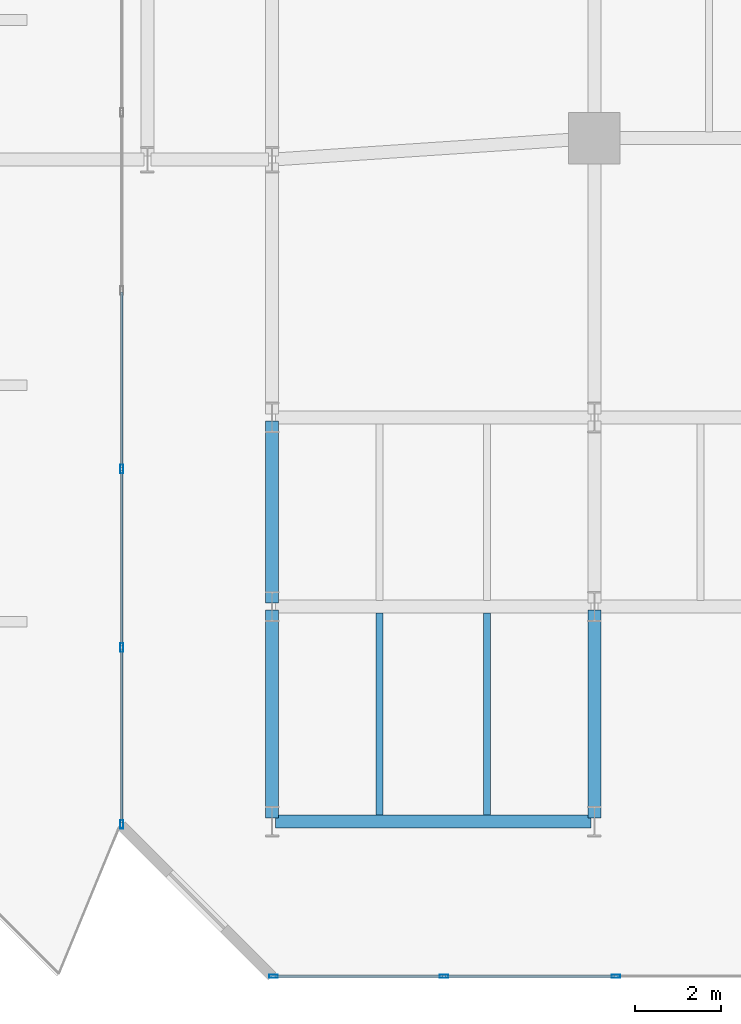
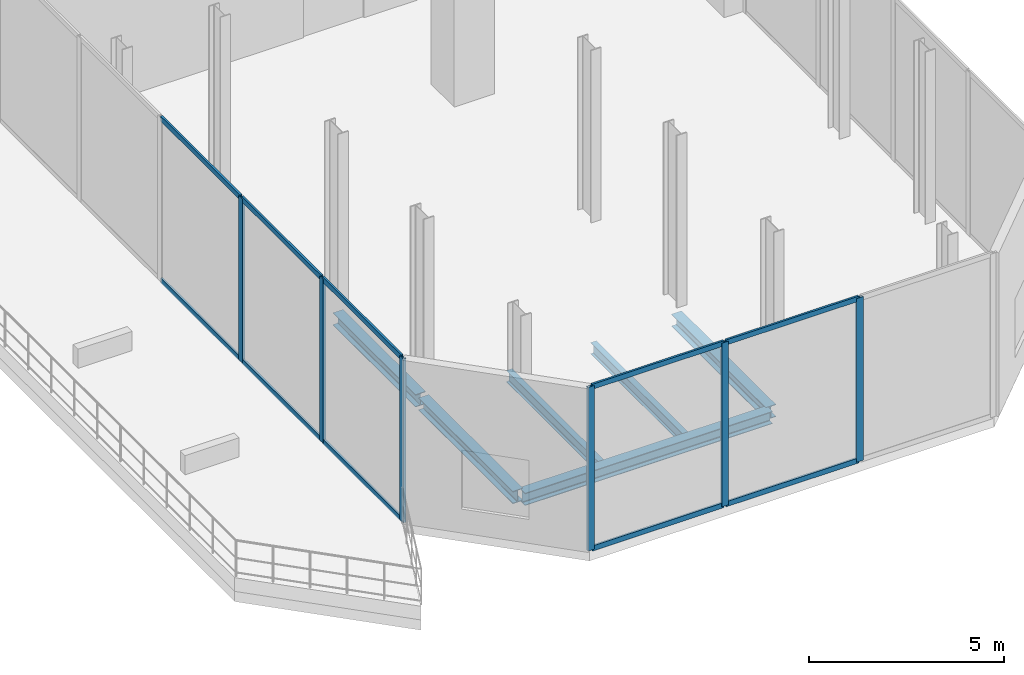
# One storey, part 2 of 18: 16 members, 6 beams, 2 elements without a shape of their own.
"""IFC4 building model written with IfcOpenShell, lengths in metres."""

import ifcopenshell
import ifcopenshell.guid

model = None  # the IFC model being written
_history = None  # IfcOwnerHistory: only IFC2X3 demands one
_inside = {}  # id of a spatial element -> (the spatial element, [elements in it])
_under = {}  # id of a project, library or spatial element -> (it, [spatial elements below it])
_declared = {}  # id of a project -> (the project, [libraries it declares])
_typed = {}  # id of a type object -> (the type object, [elements of that type])
_made_of = {}  # id of a material, layer set ... -> (it, [elements and type objects made of it])


def new_model(schema):
    """Start an empty IFC model of exactly this schema.

    Asked for "IFC4X3", IfcOpenShell would pick the latest addendum, in which some entities
    have other attributes; the version numbers below select the first issue.
    IFC2X3 requires an IfcOwnerHistory on every rooted entity: one is made here for all.
    """
    global model, _history
    if schema == "IFC4X3":
        model = ifcopenshell.file(schema_version=(4, 3, 0, 0))
    else:
        model = ifcopenshell.file(schema=schema)
    _inside.clear()
    _under.clear()
    _declared.clear()
    _typed.clear()
    _made_of.clear()
    _history = None
    if model.schema == "IFC2X3":
        org = make("IfcOrganization", Name="unknown")
        user = make(
            "IfcPersonAndOrganization",
            ThePerson=make("IfcPerson", FamilyName="unknown"),
            TheOrganization=org,
        )
        app = make(
            "IfcApplication",
            ApplicationDeveloper=org,
            Version="unknown",
            ApplicationFullName="unknown",
            ApplicationIdentifier="unknown",
        )
        _history = make(
            "IfcOwnerHistory",
            OwningUser=user,
            OwningApplication=app,
            ChangeAction="ADDED",
            CreationDate=0,
        )
    return model


def make(cls, **values):
    """One entity of the class cls with the attributes given. An attribute that is None is left unset."""
    return model.create_entity(
        cls, **{name: value for name, value in values.items() if value is not None}
    )


def rooted(cls, **values):
    """An entity with a GlobalId (a new one), such as an element, a storey or a relation."""
    return make(cls, GlobalId=ifcopenshell.guid.new(), OwnerHistory=_history, **values)


def si_unit(unit_type, name, prefix=None):
    """IfcSIUnit, for example si_unit("LENGTHUNIT", "METRE", prefix="MILLI")."""
    return make("IfcSIUnit", UnitType=unit_type, Prefix=prefix, Name=name)


def assignment(units):
    """IfcUnitAssignment: the units of a project."""
    return None if units is None else make("IfcUnitAssignment", Units=units)


def point(xyz):
    """IfcCartesianPoint."""
    return None if xyz is None else make("IfcCartesianPoint", Coordinates=xyz)


def direction(xyz):
    """IfcDirection."""
    return None if xyz is None else make("IfcDirection", DirectionRatios=xyz)


def frame(location, z_axis=None, x_axis=None):
    """IfcAxis2Placement3D, a coordinate frame: its origin and axes. An axis left out is left unset."""
    return make(
        "IfcAxis2Placement3D",
        Location=point(location),
        Axis=direction(z_axis),
        RefDirection=direction(x_axis),
    )


def frame_2d(location, x_axis=None):
    """IfcAxis2Placement2D, a coordinate frame in the plane: its origin and x axis."""
    return make(
        "IfcAxis2Placement2D", Location=point(location), RefDirection=direction(x_axis)
    )


def origin():
    """The frame at (0, 0, 0) with its axes left unset."""
    return frame((0.0, 0.0, 0.0))


def origin_2d():
    """The frame at (0, 0) in the plane with its x axis left unset."""
    return frame_2d((0.0, 0.0))


def place(relative_to, where):
    """IfcLocalPlacement: puts the frame where relative to a parent placement (None: the world)."""
    return make(
        "IfcLocalPlacement", PlacementRelTo=relative_to, RelativePlacement=where
    )


def context(
    kind, dimensions, precision=None, world=None, true_north=None, identifier=None
):
    """IfcGeometricRepresentationContext, for example the 3D "Model" context."""
    return make(
        "IfcGeometricRepresentationContext",
        ContextIdentifier=identifier,
        ContextType=kind,
        CoordinateSpaceDimension=dimensions,
        Precision=precision,
        WorldCoordinateSystem=world,
        TrueNorth=true_north,
    )


def subcontext(parent, identifier, kind, view, scale=None):
    """IfcGeometricRepresentationSubContext, for example "Body" below "Model"."""
    return make(
        "IfcGeometricRepresentationSubContext",
        ContextIdentifier=identifier,
        ContextType=kind,
        ParentContext=parent,
        TargetScale=scale,
        TargetView=view,
    )


def project(units=None, contexts=None):
    """IfcProject with its units and contexts."""
    return rooted(
        "IfcProject",
        Name="project",
        RepresentationContexts=contexts,
        UnitsInContext=assignment(units),
    )


def spatial(cls, under=None, at=None, **own):
    """A site, building, storey or space (cls), placed at a placement, below another one or the project."""
    s = rooted(cls, ObjectPlacement=at, **own)
    if under is not None:
        _under.setdefault(under.id(), (under, []))[1].append(s)
    return s


def profile(cls, at=None, kind="AREA", **sizes):
    """A parametric profile (cls). Its sizes go by their IFC names, for example OverallWidth=200.0."""
    return make(cls, ProfileType=kind, Position=at, **sizes)


def hollow_rectangle(**sizes):
    """IfcRectangleHollowProfileDef."""
    return profile("IfcRectangleHollowProfileDef", **sizes)


def i_section(**sizes):
    """IfcIShapeProfileDef."""
    return profile("IfcIShapeProfileDef", **sizes)


def extrude(swept, where, along, depth):
    """IfcExtrudedAreaSolid: the profile swept, set in the frame where, extruded along a direction by depth."""
    return make(
        "IfcExtrudedAreaSolid",
        SweptArea=swept,
        Position=where,
        ExtrudedDirection=direction(along),
        Depth=depth,
    )


def shape(context_of_items, identifier, shape_type, items):
    """IfcShapeRepresentation: the items that make up one representation, for example the "Body"."""
    return make(
        "IfcShapeRepresentation",
        ContextOfItems=context_of_items,
        RepresentationIdentifier=identifier,
        RepresentationType=shape_type,
        Items=items,
    )


def material(Name=None, Category=None):
    """IfcMaterial."""
    return make("IfcMaterial", Name=Name, Category=Category)


def layer(
    of_material, thickness, ventilated=None, Name=None, Category=None, Priority=None
):
    """IfcMaterialLayer: one layer of a wall or slab, of a material (None: an air gap)."""
    return make(
        "IfcMaterialLayer",
        Material=of_material,
        LayerThickness=thickness,
        IsVentilated=ventilated,
        Name=Name,
        Category=Category,
        Priority=Priority,
    )


def layer_set(layers, Name=None):
    """IfcMaterialLayerSet."""
    return make("IfcMaterialLayerSet", MaterialLayers=layers, LayerSetName=Name)


def material_profile(
    of_material, cross_section, Name=None, Category=None, Priority=None
):
    """IfcMaterialProfile: a cross section and its material."""
    return make(
        "IfcMaterialProfile",
        Name=Name,
        Material=of_material,
        Profile=cross_section,
        Priority=Priority,
        Category=Category,
    )


def profile_set(profiles, Name=None, composite=None):
    """IfcMaterialProfileSet."""
    return make(
        "IfcMaterialProfileSet",
        Name=Name,
        MaterialProfiles=profiles,
        CompositeProfile=composite,
    )


def made_of(thing, what):
    """Note that an element or type object is made of a material, layer set ...; save() writes the relation."""
    if what is not None:
        _made_of.setdefault(what.id(), (what, []))[1].append(thing)
    return thing


def type_object(cls, material=None, **own):
    """A type object (cls), such as IfcWallType, which elements share."""
    return made_of(rooted(cls, **own), material)


def element(
    cls,
    number,
    at=None,
    inside=None,
    cuts=None,
    type_object=None,
    material=None,
    context=None,
    identifier="Body",
    shape_type=None,
    held_by="IfcProductDefinitionShape",
    body=None,
    shapes=None,
    **own,
):
    """One element of the class cls, such as IfcWall. Its Tag is "e" and its number.

    at: its placement. inside: the storey or other place that contains it. cuts: it is an
    opening in that element (IfcRelVoidsElement). A single representation is given by context,
    identifier, shape_type and body (its items); several are given by shapes. held_by: the class
    of the entity that holds the representations. save() writes the other relations.
    """
    e = rooted(cls, Tag="e%d" % number, ObjectPlacement=at, **own)
    if body is not None:
        shapes = [shape(context, identifier, shape_type, body)]
    if shapes is not None:
        e.Representation = make(held_by, Representations=shapes)
    if inside is not None:
        _inside.setdefault(inside.id(), (inside, []))[1].append(e)
    if cuts is not None:
        rooted(
            "IfcRelVoidsElement", RelatingBuildingElement=cuts, RelatedOpeningElement=e
        )
    if type_object is not None:
        _typed.setdefault(type_object.id(), (type_object, []))[1].append(e)
    return made_of(e, material)


def aggregate(whole, parts):
    """IfcRelAggregates: a whole, such as a stair, and the parts it consists of."""
    return rooted("IfcRelAggregates", RelatingObject=whole, RelatedObjects=parts)


def save(model, path):
    """Write the relations noted so far, then the file.

    IfcRelAggregates (storeys below a building ...), IfcRelContainedInSpatialStructure (elements
    in a storey), IfcRelDefinesByType, IfcRelAssociatesMaterial and IfcRelDeclares: one each for
    every whole, place, type object, material and project.
    """
    for whole, parts in _under.values():
        aggregate(whole, parts)
    for where, things in _inside.values():
        rooted(
            "IfcRelContainedInSpatialStructure",
            RelatedElements=things,
            RelatingStructure=where,
        )
    for kind, things in _typed.values():
        rooted("IfcRelDefinesByType", RelatedObjects=things, RelatingType=kind)
    for what, things in _made_of.values():
        rooted("IfcRelAssociatesMaterial", RelatedObjects=things, RelatingMaterial=what)
    for by, libraries in _declared.values():
        rooted("IfcRelDeclares", RelatingContext=by, RelatedDefinitions=libraries)
    model.write(path)


model = new_model("IFC4")

# Units and contexts
model_context = context("Model", 3, precision=1e-05, world=origin(), true_north=direction((0.0, 1.0)))
body_context = subcontext(model_context, "Body", "Model", "MODEL_VIEW")
ifc_project = project(units=[si_unit("LENGTHUNIT", "METRE"), si_unit("AREAUNIT", "SQUARE_METRE"), si_unit("VOLUMEUNIT", "CUBIC_METRE"), si_unit("PLANEANGLEUNIT", "RADIAN"), si_unit("MASSUNIT", "GRAM", prefix="KILO")], contexts=[model_context])

# Site, building, storey
site_placement = place(None, origin())
site = spatial("IfcSite", under=ifc_project, at=site_placement, CompositionType="ELEMENT")
building_placement = place(site_placement, origin())
building = spatial("IfcBuilding", under=site, at=building_placement, Name="Catumbela Crestline Tower", CompositionType="ELEMENT")
storey_placement = place(building_placement, frame((0.0, 0.0, 148.8)))
storey = spatial("IfcBuildingStorey", under=building, at=storey_placement, Name="L38", CompositionType="ELEMENT", Elevation=148.8)

# Beams
ifc_material_1 = material(Name="Structural steel S355J2", Category="steel")
ifc_material_profile_1 = material_profile(ifc_material_1, i_section(OverallWidth=0.3, OverallDepth=0.39, WebThickness=0.011, FlangeThickness=0.019, FilletRadius=0.027, at=origin_2d()), Name="HEA 400")
ifc_profile_set_1 = profile_set([ifc_material_profile_1], Name="Structural steel S355J2")
beam_type_1 = type_object("IfcBeamType", Name="BG-HEA400", PredefinedType="BEAM", material=ifc_profile_set_1)
beam_1_placement = place(storey_placement, frame((8.58, 8.6, -0.545), z_axis=(1.0, 0.0, 0.0), x_axis=(0.0, 1.0, 0.0)))
element("IfcBeam", 1, at=beam_1_placement, inside=storey, type_object=beam_type_1, Name="L38 Beam BM-L38-WEW32", PredefinedType="BEAM", context=body_context, shape_type="SweptSolid", body=[
    extrude(i_section(OverallWidth=0.3, OverallDepth=0.39, WebThickness=0.011, FlangeThickness=0.019, FilletRadius=0.027, at=origin_2d()), origin(), (0.0, 0.0, 1.0), 7.34),
])
beam_2_placement = place(storey_placement, frame((8.5, 8.68, -0.545), z_axis=(0.0, 1.0, 0.0), x_axis=(-1.0, 0.0, 0.0)))
element("IfcBeam", 2, at=beam_2_placement, inside=storey, type_object=beam_type_1, Name="L38 Beam BM-L38-WNS37", PredefinedType="BEAM", context=body_context, shape_type="SweptSolid", body=[
    extrude(i_section(OverallWidth=0.3, OverallDepth=0.39, WebThickness=0.011, FlangeThickness=0.019, FilletRadius=0.027, at=origin_2d()), origin(), (0.0, 0.0, 1.0), 4.84),
])
beam_3_placement = place(storey_placement, frame((8.5, 13.68, -0.545), z_axis=(0.0, 1.0, 0.0), x_axis=(-1.0, 0.0, 0.0)))
element("IfcBeam", 3, at=beam_3_placement, inside=storey, type_object=beam_type_1, Name="L38 Beam BM-L38-WNS38", PredefinedType="BEAM", context=body_context, shape_type="SweptSolid", body=[
    extrude(i_section(OverallWidth=0.3, OverallDepth=0.39, WebThickness=0.011, FlangeThickness=0.019, FilletRadius=0.027, at=origin_2d()), origin(), (0.0, 0.0, 1.0), 4.24),
])
beam_4_placement = place(storey_placement, frame((16.0, 8.68, -0.545), z_axis=(0.0, 1.0, 0.0), x_axis=(-1.0, 0.0, 0.0)))
element("IfcBeam", 4, at=beam_4_placement, inside=storey, type_object=beam_type_1, Name="L38 Beam BM-L38-WNS40", PredefinedType="BEAM", context=body_context, shape_type="SweptSolid", body=[
    extrude(i_section(OverallWidth=0.3, OverallDepth=0.39, WebThickness=0.011, FlangeThickness=0.019, FilletRadius=0.027, at=origin_2d()), origin(), (0.0, 0.0, 1.0), 4.84),
])
ifc_material_profile_2 = material_profile(ifc_material_1, i_section(OverallWidth=0.17, OverallDepth=0.36, WebThickness=0.008, FlangeThickness=0.0127, FilletRadius=0.018, at=origin_2d()), Name="IPE 360")
ifc_profile_set_2 = profile_set([ifc_material_profile_2], Name="Structural steel S355J2")
beam_type_2 = type_object("IfcBeamType", Name="BJ-IPE360", PredefinedType="JOIST", material=ifc_profile_set_2)
for number, where, z_axis, x_axis, name in (
    (5, (11.0, 8.747, -0.53), (0.0, 1.0, 0.0), (-1.0, 0.0, 0.0), "L38 Joist JS-L38-WG44"),
    (6, (13.5, 8.747, -0.53), (0.0, 1.0, 0.0), (-1.0, 0.0, 0.0), "L38 Joist JS-L38-WG45"),
):
    element("IfcBeam", number, at=place(storey_placement, frame(where, z_axis=z_axis, x_axis=x_axis)), inside=storey, type_object=beam_type_2, Name=name, PredefinedType="JOIST", context=body_context, shape_type="SweptSolid", body=[
        extrude(i_section(OverallWidth=0.17, OverallDepth=0.36, WebThickness=0.008, FlangeThickness=0.0127, FilletRadius=0.018, at=origin_2d()), origin(), (0.0, 0.0, 1.0), 4.706),
    ])

# Curtain wall, members
ifc_material_2 = material(Name="Aluminium alloy AW-6060-T66", Category="aluminium")
ifc_layer = layer(ifc_material_2, 0.18, Name="Aluminium alloy AW-6060-T66")
ifc_layer_set = layer_set([ifc_layer], Name="Aluminium alloy AW-6060-T66")
curtain_wall_type = type_object("IfcCurtainWallType", Name="CWU-SKY", PredefinedType="USERDEFINED", material=ifc_layer_set)
curtain_wall_1_placement = place(storey_placement, origin())
curtain_wall_1 = element("IfcCurtainWall", 7, at=curtain_wall_1_placement, inside=storey, type_object=curtain_wall_type, Name="L38 Unitised Curtain Wall CW-L38-E0S1", ObjectType="UNITISED", PredefinedType="USERDEFINED")
ifc_material_profile_3 = material_profile(ifc_material_2, hollow_rectangle(XDim=0.075, YDim=0.2, WallThickness=0.005, at=origin_2d()), Name="ALU 200x75x5")
ifc_profile_set_3 = profile_set([ifc_material_profile_3], Name="Aluminium alloy AW-6060-T66")
member_type_1 = type_object("IfcMemberType", Name="MUL-200X75", PredefinedType="MULLION", material=ifc_profile_set_3)
member_1_placement = place(storey_placement, frame((8.5325, 5.0, 0.0), z_axis=(0.0, 0.0, 1.0), x_axis=(0.0, 1.0, 0.0)))
member_1 = element("IfcMember", 8, at=member_1_placement, type_object=member_type_1, Name="CWU-SKY mullion 1", PredefinedType="MULLION", context=body_context, shape_type="SweptSolid", body=[
    extrude(hollow_rectangle(XDim=0.075, YDim=0.2, WallThickness=0.005, at=origin_2d()), origin(), (0.0, 0.0, 1.0), 5.13),
])
member_2_placement = place(storey_placement, frame((12.5, 5.0, 0.0), z_axis=(0.0, 0.0, 1.0), x_axis=(0.0, 1.0, 0.0)))
member_2 = element("IfcMember", 9, at=member_2_placement, type_object=member_type_1, Name="CWU-SKY mullion 2", PredefinedType="MULLION", context=body_context, shape_type="SweptSolid", body=[
    extrude(hollow_rectangle(XDim=0.075, YDim=0.2, WallThickness=0.005, at=origin_2d()), origin(), (0.0, 0.0, 1.0), 5.13),
])
member_3_placement = place(storey_placement, frame((16.5, 5.0, 0.0), z_axis=(0.0, 0.0, 1.0), x_axis=(0.0, 1.0, 0.0)))
member_3 = element("IfcMember", 10, at=member_3_placement, type_object=member_type_1, Name="CWU-SKY mullion 3", PredefinedType="MULLION", context=body_context, shape_type="SweptSolid", body=[
    extrude(hollow_rectangle(XDim=0.075, YDim=0.2, WallThickness=0.005, at=origin_2d()), origin(), (0.0, 0.0, 1.0), 5.13),
])

curtain_wall_2_placement = place(storey_placement, origin())
curtain_wall_2 = element("IfcCurtainWall", 11, at=curtain_wall_2_placement, inside=storey, type_object=curtain_wall_type, Name="L38 Unitised Curtain Wall CW-L38-E9S2", ObjectType="UNITISED", PredefinedType="USERDEFINED")
member_4_placement = place(storey_placement, frame((5.0, 16.8, 0.0), z_axis=(0.0, 0.0, 1.0), x_axis=(1.0, 0.0, 0.0)))
member_4 = element("IfcMember", 12, at=member_4_placement, type_object=member_type_1, Name="CWU-SKY mullion 5", PredefinedType="MULLION", context=body_context, shape_type="SweptSolid", body=[
    extrude(hollow_rectangle(XDim=0.075, YDim=0.2, WallThickness=0.005, at=origin_2d()), origin(), (0.0, 0.0, 1.0), 5.13),
])
member_5_placement = place(storey_placement, frame((5.0, 12.65, 0.0), z_axis=(0.0, 0.0, 1.0), x_axis=(1.0, 0.0, 0.0)))
member_5 = element("IfcMember", 13, at=member_5_placement, type_object=member_type_1, Name="CWU-SKY mullion 6", PredefinedType="MULLION", context=body_context, shape_type="SweptSolid", body=[
    extrude(hollow_rectangle(XDim=0.075, YDim=0.2, WallThickness=0.005, at=origin_2d()), origin(), (0.0, 0.0, 1.0), 5.13),
])
member_6_placement = place(storey_placement, frame((5.0, 8.5325, 0.0), z_axis=(0.0, 0.0, 1.0), x_axis=(1.0, 0.0, 0.0)))
member_6 = element("IfcMember", 14, at=member_6_placement, type_object=member_type_1, Name="CWU-SKY mullion 7", PredefinedType="MULLION", context=body_context, shape_type="SweptSolid", body=[
    extrude(hollow_rectangle(XDim=0.075, YDim=0.2, WallThickness=0.005, at=origin_2d()), origin(), (0.0, 0.0, 1.0), 5.13),
])

# Member
ifc_material_profile_4 = material_profile(ifc_material_2, hollow_rectangle(XDim=0.06, YDim=0.16, WallThickness=0.004, at=origin_2d()), Name="ALU 160x60x4")
ifc_profile_set_4 = profile_set([ifc_material_profile_4], Name="Aluminium alloy AW-6060-T66")
member_type_2 = type_object("IfcMemberType", Name="TRN-160X60", PredefinedType="USERDEFINED", material=ifc_profile_set_4)
member_7_placement = place(storey_placement, frame((8.565, 5.0, 0.03), z_axis=(1.0, 0.0, 0.0), x_axis=(0.0, 1.0, 0.0)))
member_7 = element("IfcMember", 15, at=member_7_placement, type_object=member_type_2, Name="CWU-SKY transom 1.1", ObjectType="TRANSOM", PredefinedType="USERDEFINED", context=body_context, shape_type="SweptSolid", body=[
    extrude(hollow_rectangle(XDim=0.06, YDim=0.16, WallThickness=0.004, at=origin_2d()), origin(), (0.0, 0.0, 1.0), 3.9025),
])

member_8_placement = place(storey_placement, frame((8.565, 5.0, 5.1), z_axis=(1.0, 0.0, 0.0), x_axis=(0.0, 1.0, 0.0)))
member_8 = element("IfcMember", 16, at=member_8_placement, type_object=member_type_2, Name="CWU-SKY transom 1.2", ObjectType="TRANSOM", PredefinedType="USERDEFINED", context=body_context, shape_type="SweptSolid", body=[
    extrude(hollow_rectangle(XDim=0.06, YDim=0.16, WallThickness=0.004, at=origin_2d()), origin(), (0.0, 0.0, 1.0), 3.9025),
])

member_9_placement = place(storey_placement, frame((12.5325, 5.0, 0.03), z_axis=(1.0, 0.0, 0.0), x_axis=(0.0, 1.0, 0.0)))
member_9 = element("IfcMember", 17, at=member_9_placement, type_object=member_type_2, Name="CWU-SKY transom 2.1", ObjectType="TRANSOM", PredefinedType="USERDEFINED", context=body_context, shape_type="SweptSolid", body=[
    extrude(hollow_rectangle(XDim=0.06, YDim=0.16, WallThickness=0.004, at=origin_2d()), origin(), (0.0, 0.0, 1.0), 3.935),
])

member_10_placement = place(storey_placement, frame((12.5325, 5.0, 5.1), z_axis=(1.0, 0.0, 0.0), x_axis=(0.0, 1.0, 0.0)))
member_10 = element("IfcMember", 18, at=member_10_placement, type_object=member_type_2, Name="CWU-SKY transom 2.2", ObjectType="TRANSOM", PredefinedType="USERDEFINED", context=body_context, shape_type="SweptSolid", body=[
    extrude(hollow_rectangle(XDim=0.06, YDim=0.16, WallThickness=0.004, at=origin_2d()), origin(), (0.0, 0.0, 1.0), 3.935),
])

aggregate(curtain_wall_1, [member_1, member_2, member_3, member_7, member_8, member_9, member_10])

member_11_placement = place(storey_placement, frame((5.0, 20.9175, 0.03), z_axis=(0.0, -1.0, 0.0), x_axis=(1.0, 0.0, 0.0)))
member_11 = element("IfcMember", 19, at=member_11_placement, type_object=member_type_2, Name="CWU-SKY transom 4.1", ObjectType="TRANSOM", PredefinedType="USERDEFINED", context=body_context, shape_type="SweptSolid", body=[
    extrude(hollow_rectangle(XDim=0.06, YDim=0.16, WallThickness=0.004, at=origin_2d()), origin(), (0.0, 0.0, 1.0), 4.085),
])

member_12_placement = place(storey_placement, frame((5.0, 20.9175, 5.1), z_axis=(0.0, -1.0, 0.0), x_axis=(1.0, 0.0, 0.0)))
member_12 = element("IfcMember", 20, at=member_12_placement, type_object=member_type_2, Name="CWU-SKY transom 4.2", ObjectType="TRANSOM", PredefinedType="USERDEFINED", context=body_context, shape_type="SweptSolid", body=[
    extrude(hollow_rectangle(XDim=0.06, YDim=0.16, WallThickness=0.004, at=origin_2d()), origin(), (0.0, 0.0, 1.0), 4.085),
])

member_13_placement = place(storey_placement, frame((5.0, 16.7675, 0.03), z_axis=(0.0, -1.0, 0.0), x_axis=(1.0, 0.0, 0.0)))
member_13 = element("IfcMember", 21, at=member_13_placement, type_object=member_type_2, Name="CWU-SKY transom 5.1", ObjectType="TRANSOM", PredefinedType="USERDEFINED", context=body_context, shape_type="SweptSolid", body=[
    extrude(hollow_rectangle(XDim=0.06, YDim=0.16, WallThickness=0.004, at=origin_2d()), origin(), (0.0, 0.0, 1.0), 4.085),
])

member_14_placement = place(storey_placement, frame((5.0, 16.7675, 5.1), z_axis=(0.0, -1.0, 0.0), x_axis=(1.0, 0.0, 0.0)))
member_14 = element("IfcMember", 22, at=member_14_placement, type_object=member_type_2, Name="CWU-SKY transom 5.2", ObjectType="TRANSOM", PredefinedType="USERDEFINED", context=body_context, shape_type="SweptSolid", body=[
    extrude(hollow_rectangle(XDim=0.06, YDim=0.16, WallThickness=0.004, at=origin_2d()), origin(), (0.0, 0.0, 1.0), 4.085),
])

member_15_placement = place(storey_placement, frame((5.0, 12.6175, 0.03), z_axis=(0.0, -1.0, 0.0), x_axis=(1.0, 0.0, 0.0)))
member_15 = element("IfcMember", 23, at=member_15_placement, type_object=member_type_2, Name="CWU-SKY transom 6.1", ObjectType="TRANSOM", PredefinedType="USERDEFINED", context=body_context, shape_type="SweptSolid", body=[
    extrude(hollow_rectangle(XDim=0.06, YDim=0.16, WallThickness=0.004, at=origin_2d()), origin(), (0.0, 0.0, 1.0), 4.0525),
])

member_16_placement = place(storey_placement, frame((5.0, 12.6175, 5.1), z_axis=(0.0, -1.0, 0.0), x_axis=(1.0, 0.0, 0.0)))
member_16 = element("IfcMember", 24, at=member_16_placement, type_object=member_type_2, Name="CWU-SKY transom 6.2", ObjectType="TRANSOM", PredefinedType="USERDEFINED", context=body_context, shape_type="SweptSolid", body=[
    extrude(hollow_rectangle(XDim=0.06, YDim=0.16, WallThickness=0.004, at=origin_2d()), origin(), (0.0, 0.0, 1.0), 4.0525),
])

aggregate(curtain_wall_2, [member_4, member_5, member_6, member_11, member_12, member_13, member_14, member_15, member_16])

save(model, "model.ifc")
